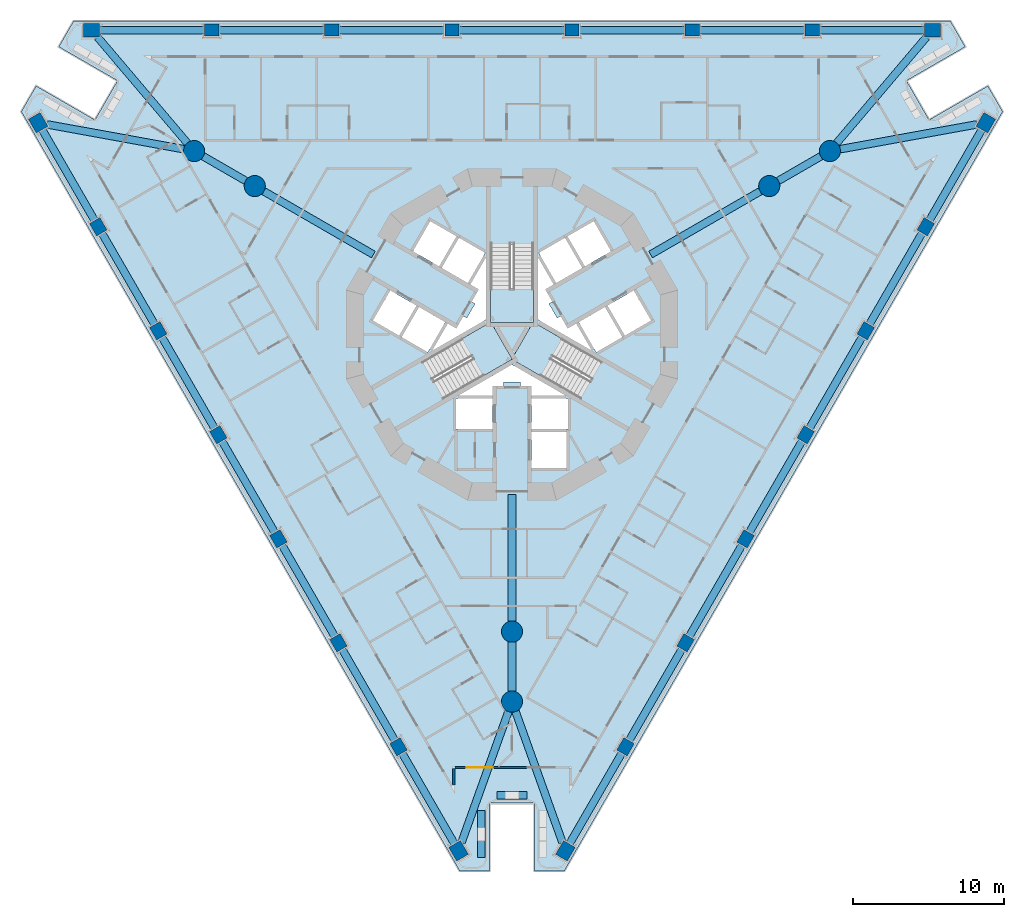
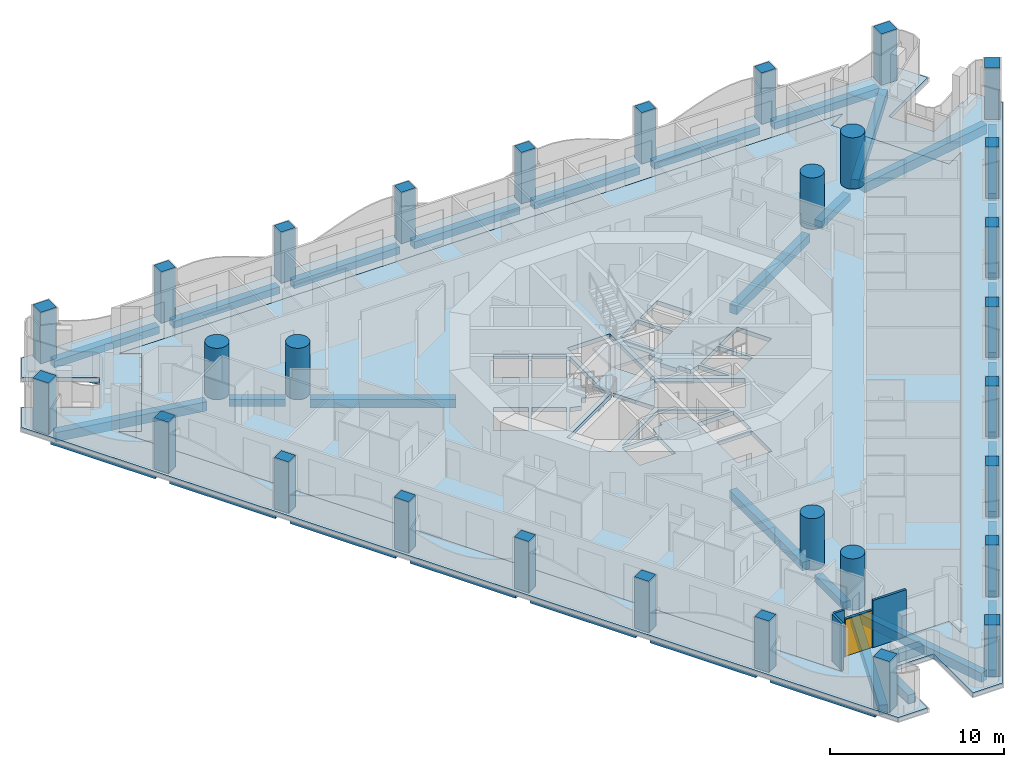
# One storey, part 1 of 20: 33 beams, 30 columns, 6 slabs, 6 walls, 1 door, 1 opening, 3 elements without a shape of their own.
"""IFC4 building model written with IfcOpenShell, lengths in metres."""

from ifc_helpers import new_model, si_unit, direction, frame, frame_2d, origin, origin_2d, place, context, subcontext, project, spatial, polyline, rectangle, circle, outline, extrude, material, layer, layer_set, material_profile, profile_set, type_object, element, fill, aggregate, save


model = new_model("IFC4")

# Units and contexts
model_context = context("Model", 3, precision=1e-05, world=origin(), true_north=direction((0.0, 1.0)))
body_context = subcontext(model_context, "Body", "Model", "MODEL_VIEW")
ifc_project = project(units=[si_unit("LENGTHUNIT", "METRE"), si_unit("AREAUNIT", "SQUARE_METRE"), si_unit("VOLUMEUNIT", "CUBIC_METRE"), si_unit("PLANEANGLEUNIT", "RADIAN"), si_unit("MASSUNIT", "GRAM", prefix="KILO")], contexts=[model_context])

# Site, building, storey
site_placement = place(None, origin())
site = spatial("IfcSite", under=ifc_project, at=site_placement, CompositionType="ELEMENT")
building_placement = place(site_placement, origin())
building = spatial("IfcBuilding", under=site, at=building_placement, Name="Trine Commons Tower", CompositionType="ELEMENT")
storey_placement = place(building_placement, frame((0.0, 0.0, 35.10009765625)))
storey = spatial("IfcBuildingStorey", under=building, at=storey_placement, Name="L07", CompositionType="ELEMENT", Elevation=35.10009765625)

# Columns
ifc_material_1 = material(Name="Concrete C80/95", Category="concrete")
ifc_material_profile_1 = material_profile(ifc_material_1, rectangle(XDim=1.050048828125, YDim=0.89990234375, at=origin_2d()), Name="RC 1050x900")
ifc_profile_set_1 = profile_set([ifc_material_profile_1], Name="Concrete C80/95")
column_type_1 = type_object("IfcColumnType", Name="RC column 1050x900, C80/95", PredefinedType="COLUMN", material=ifc_profile_set_1)
for number, where, z_axis, x_axis, name in (
    (1, (76.45556640625, 28.27001953125, 0.0), (0.0, 0.0, 1.0), (-0.5, 0.866025403784, 0.0), "Column PC1-01 L07"),
    (2, (48.583740234375, 76.54541015625, 0.0), (0.0, 0.0, 1.0), (-0.5, 0.866025403784, 0.0), "Column PC1-08 L07"),
    (3, (52.128173828125, 82.6845703125, 0.0), (0.0, 0.0, 1.0), (1.0, 0.0, 0.0), "Column PC1-09 L07"),
    (4, (107.871826171875, 82.6845703125, 0.0), (0.0, 0.0, 1.0), (1.0, 0.0, 0.0), "Column PC1-16 L07"),
    (5, (111.416259765625, 76.54541015625, 0.0), (0.0, 0.0, 1.0), (0.5, 0.866025403784, 0.0), "Column PC1-17 L07"),
    (6, (83.54443359375, 28.27001953125, 0.0), (0.0, 0.0, 1.0), (0.5, 0.866025403784, 0.0), "Column PC1-24 L07"),
):
    element("IfcColumn", number, at=place(storey_placement, frame(where, z_axis=z_axis, x_axis=x_axis)), inside=storey, type_object=column_type_1, Name=name, PredefinedType="COLUMN", context=body_context, shape_type="SweptSolid", body=[
        extrude(rectangle(XDim=1.050048828125, YDim=0.89990234375, at=origin_2d()), origin(), (0.0, 0.0, 1.0), 3.599853515625),
    ])
ifc_material_profile_2 = material_profile(ifc_material_1, rectangle(XDim=0.949951171875, YDim=0.800048828125, at=origin_2d()), Name="RC 950x800")
ifc_profile_set_2 = profile_set([ifc_material_profile_2], Name="Concrete C80/95")
column_type_2 = type_object("IfcColumnType", Name="RC column 950x800, C80/95", PredefinedType="COLUMN", material=ifc_profile_set_2)
for number, where, z_axis, x_axis, name in (
    (7, (72.473876953125, 35.16650390625, 0.0), (0.0, 0.0, 1.0), (-0.5, 0.866025403784, 0.0), "Column PC1-02 L07"),
    (8, (68.4921875, 42.06298828125, 0.0), (0.0, 0.0, 1.0), (-0.5, 0.866025403784, 0.0), "Column PC1-03 L07"),
    (9, (64.510498046875, 48.95947265625, 0.0), (0.0, 0.0, 1.0), (-0.5, 0.866025403784, 0.0), "Column PC1-04 L07"),
    (10, (60.52880859375, 55.85595703125, 0.0), (0.0, 0.0, 1.0), (-0.5, 0.866025403784, 0.0), "Column PC1-05 L07"),
    (11, (56.547119140625, 62.75244140625, 0.0), (0.0, 0.0, 1.0), (-0.5, 0.866025403784, 0.0), "Column PC1-06 L07"),
    (12, (52.5654296875, 69.64892578125, 0.0), (0.0, 0.0, 1.0), (-0.5, 0.866025403784, 0.0), "Column PC1-07 L07"),
    (13, (60.091552734375, 82.6845703125, 0.0), (0.0, 0.0, 1.0), (1.0, 0.0, 0.0), "Column PC1-10 L07"),
    (14, (68.054931640625, 82.6845703125, 0.0), (0.0, 0.0, 1.0), (1.0, 0.0, 0.0), "Column PC1-11 L07"),
    (15, (76.018310546875, 82.6845703125, 0.0), (0.0, 0.0, 1.0), (1.0, 0.0, 0.0), "Column PC1-12 L07"),
    (16, (83.981689453125, 82.6845703125, 0.0), (0.0, 0.0, 1.0), (1.0, 0.0, 0.0), "Column PC1-13 L07"),
    (17, (91.945068359375, 82.6845703125, 0.0), (0.0, 0.0, 1.0), (1.0, 0.0, 0.0), "Column PC1-14 L07"),
    (18, (99.908447265625, 82.6845703125, 0.0), (0.0, 0.0, 1.0), (1.0, 0.0, 0.0), "Column PC1-15 L07"),
    (19, (107.4345703125, 69.64892578125, 0.0), (0.0, 0.0, 1.0), (0.5, 0.866025403784, 0.0), "Column PC1-18 L07"),
    (20, (103.452880859375, 62.75244140625, 0.0), (0.0, 0.0, 1.0), (0.5, 0.866025403784, 0.0), "Column PC1-19 L07"),
    (21, (99.47119140625, 55.85595703125, 0.0), (0.0, 0.0, 1.0), (0.5, 0.866025403784, 0.0), "Column PC1-20 L07"),
    (22, (95.489501953125, 48.95947265625, 0.0), (0.0, 0.0, 1.0), (0.5, 0.866025403784, 0.0), "Column PC1-21 L07"),
    (23, (91.5078125, 42.06298828125, 0.0), (0.0, 0.0, 1.0), (0.5, 0.866025403784, 0.0), "Column PC1-22 L07"),
    (24, (87.526123046875, 35.16650390625, 0.0), (0.0, 0.0, 1.0), (0.5, 0.866025403784, 0.0), "Column PC1-23 L07"),
):
    element("IfcColumn", number, at=place(storey_placement, frame(where, z_axis=z_axis, x_axis=x_axis)), inside=storey, type_object=column_type_2, Name=name, PredefinedType="COLUMN", context=body_context, shape_type="SweptSolid", body=[
        extrude(rectangle(XDim=0.949951171875, YDim=0.800048828125, at=origin_2d()), origin(), (0.0, 0.0, 1.0), 3.599853515625),
    ])
ifc_material_profile_3 = material_profile(ifc_material_1, circle(Radius=0.699951171875, at=origin_2d()), Name="RC round 1400")
ifc_profile_set_3 = profile_set([ifc_material_profile_3], Name="Concrete C80/95")
column_type_3 = type_object("IfcColumnType", Name="RC round column 1400 mm, C80/95", PredefinedType="COLUMN", material=ifc_profile_set_3)
for number, where, z_axis, x_axis, name in (
    (25, (80.0, 42.802978515625, 0.0), (0.0, 0.0, 1.0), (1.0, 0.0, 0.0), "Column WC1-1 L07"),
    (26, (80.0, 38.162109375, 0.0), (0.0, 0.0, 1.0), (1.0, 0.0, 0.0), "Column WC1-2 L07"),
    (27, (97.05810546875, 72.348388671875, 0.0), (0.0, 0.0, 1.0), (1.0, 0.0, 0.0), "Column WC1-3 L07"),
    (28, (101.0771484375, 74.6689453125, 0.0), (0.0, 0.0, 1.0), (1.0, 0.0, 0.0), "Column WC1-4 L07"),
    (29, (62.94189453125, 72.348388671875, 0.0), (0.0, 0.0, 1.0), (1.0, 0.0, 0.0), "Column WC1-5 L07"),
    (30, (58.9228515625, 74.6689453125, 0.0), (0.0, 0.0, 1.0), (1.0, 0.0, 0.0), "Column WC1-6 L07"),
):
    element("IfcColumn", number, at=place(storey_placement, frame(where, z_axis=z_axis, x_axis=x_axis)), inside=storey, type_object=column_type_3, Name=name, PredefinedType="COLUMN", context=body_context, shape_type="SweptSolid", body=[
        extrude(circle(Radius=0.699951171875, at=origin_2d()), origin(), (0.0, 0.0, 1.0), 3.599853515625),
    ])

# Beams
ifc_material_2 = material(Name="Concrete C50/60", Category="concrete")
ifc_material_profile_4 = material_profile(ifc_material_2, rectangle(XDim=0.5, YDim=0.5, at=origin_2d()), Name="RC 500x500")
ifc_profile_set_4 = profile_set([ifc_material_profile_4], Name="Concrete C50/60")
beam_type_1 = type_object("IfcBeamType", Name="RC beam 500x500, C50/60", PredefinedType="BEAM", material=ifc_profile_set_4)
beam_1_placement = place(storey_placement, frame((76.193115234375, 28.724609375, -0.550048828125), z_axis=(-0.500022902661, 0.866012180523, 0.0), x_axis=(-0.866012180523, -0.500022902661, 0.0)))
element("IfcBeam", 31, at=beam_1_placement, inside=storey, type_object=beam_type_1, Name="Beam EB1-01 L07", PredefinedType="BEAM", context=body_context, shape_type="SweptSolid", body=[
    extrude(rectangle(XDim=0.5, YDim=0.5, at=origin_2d()), origin(), (0.0, 0.0, 1.0), 6.963623046875),
])
beam_2_placement = place(storey_placement, frame((72.236328125, 35.577880859375, -0.550048828125), z_axis=(-0.500017753321, 0.866015153657, 0.0), x_axis=(-0.866015153657, -0.500017753321, 0.0)))
element("IfcBeam", 32, at=beam_2_placement, inside=storey, type_object=beam_type_1, Name="Beam EB1-02 L07", PredefinedType="BEAM", context=body_context, shape_type="SweptSolid", body=[
    extrude(rectangle(XDim=0.5, YDim=0.5, at=origin_2d()), origin(), (0.0, 0.0, 1.0), 7.013427734375),
])
for number, where, z_axis, x_axis, name in (
    (33, (68.254638671875, 42.474365234375, -0.550048828125), (-0.499991645397, 0.866030227263, 0.0), (-0.866030227263, -0.499991645397, 0.0), "Beam EB1-03 L07"),
    (34, (64.27294921875, 49.370849609375, -0.550048828125), (-0.499991645397, 0.866030227263, 0.0), (-0.866030227263, -0.499991645397, 0.0), "Beam EB1-04 L07"),
    (35, (60.291259765625, 56.267333984375, -0.550048828125), (-0.499991645397, 0.866030227263, 0.0), (-0.866030227263, -0.499991645397, 0.0), "Beam EB1-05 L07"),
    (36, (56.3095703125, 63.163818359375, -0.550048828125), (-0.499991645397, 0.866030227263, 0.0), (-0.866030227263, -0.499991645397, 0.0), "Beam EB1-06 L07"),
):
    element("IfcBeam", number, at=place(storey_placement, frame(where, z_axis=z_axis, x_axis=x_axis)), inside=storey, type_object=beam_type_1, Name=name, PredefinedType="BEAM", context=body_context, shape_type="SweptSolid", body=[
        extrude(rectangle(XDim=0.5, YDim=0.5, at=origin_2d()), origin(), (0.0, 0.0, 1.0), 7.01318359375),
    ])
for number, where, z_axis, x_axis, name in (
    (37, (52.327880859375, 70.060302734375, -0.550048828125), (-0.49999660792, 0.866027362194, 0.0), (-0.866027362194, -0.49999660792, 0.0), "Beam EB1-07 L07"),
    (38, (52.6533203125, 82.6845703125, -0.550048828125), (1.0, 0.0, 0.0), (0.0, 1.0, 0.0), "Beam EB1-08 L07"),
):
    element("IfcBeam", number, at=place(storey_placement, frame(where, z_axis=z_axis, x_axis=x_axis)), inside=storey, type_object=beam_type_1, Name=name, PredefinedType="BEAM", context=body_context, shape_type="SweptSolid", body=[
        extrude(rectangle(XDim=0.5, YDim=0.5, at=origin_2d()), origin(), (0.0, 0.0, 1.0), 6.96337890625),
    ])
beam_3_placement = place(storey_placement, frame((60.566650390625, 82.6845703125, -0.550048828125), z_axis=(1.0, 0.0, 0.0), x_axis=(0.0, 1.0, 0.0)))
element("IfcBeam", 39, at=beam_3_placement, inside=storey, type_object=beam_type_1, Name="Beam EB1-09 L07", PredefinedType="BEAM", context=body_context, shape_type="SweptSolid", body=[
    extrude(rectangle(XDim=0.5, YDim=0.5, at=origin_2d()), origin(), (0.0, 0.0, 1.0), 7.01318359375),
])
beam_4_placement = place(storey_placement, frame((68.52978515625, 82.6845703125, -0.550048828125), z_axis=(1.0, 0.0, 0.0), x_axis=(0.0, 1.0, 0.0)))
element("IfcBeam", 40, at=beam_4_placement, inside=storey, type_object=beam_type_1, Name="Beam EB1-10 L07", PredefinedType="BEAM", context=body_context, shape_type="SweptSolid", body=[
    extrude(rectangle(XDim=0.5, YDim=0.5, at=origin_2d()), origin(), (0.0, 0.0, 1.0), 7.013427734375),
])
beam_5_placement = place(storey_placement, frame((76.493408203125, 82.6845703125, -0.550048828125), z_axis=(1.0, 0.0, 0.0), x_axis=(0.0, 1.0, 0.0)))
element("IfcBeam", 41, at=beam_5_placement, inside=storey, type_object=beam_type_1, Name="Beam EB1-11 L07", PredefinedType="BEAM", context=body_context, shape_type="SweptSolid", body=[
    extrude(rectangle(XDim=0.5, YDim=0.5, at=origin_2d()), origin(), (0.0, 0.0, 1.0), 7.01318359375),
])
beam_6_placement = place(storey_placement, frame((84.456787109375, 82.6845703125, -0.550048828125), z_axis=(1.0, 0.0, 0.0), x_axis=(0.0, 1.0, 0.0)))
element("IfcBeam", 42, at=beam_6_placement, inside=storey, type_object=beam_type_1, Name="Beam EB1-12 L07", PredefinedType="BEAM", context=body_context, shape_type="SweptSolid", body=[
    extrude(rectangle(XDim=0.5, YDim=0.5, at=origin_2d()), origin(), (0.0, 0.0, 1.0), 7.013427734375),
])
beam_7_placement = place(storey_placement, frame((92.420166015625, 82.6845703125, -0.550048828125), z_axis=(1.0, 0.0, 0.0), x_axis=(0.0, 1.0, 0.0)))
element("IfcBeam", 43, at=beam_7_placement, inside=storey, type_object=beam_type_1, Name="Beam EB1-13 L07", PredefinedType="BEAM", context=body_context, shape_type="SweptSolid", body=[
    extrude(rectangle(XDim=0.5, YDim=0.5, at=origin_2d()), origin(), (0.0, 0.0, 1.0), 7.01318359375),
])
for number, where, z_axis, x_axis, name in (
    (44, (100.38330078125, 82.6845703125, -0.550048828125), (1.0, 0.0, 0.0), (0.0, 1.0, 0.0), "Beam EB1-14 L07"),
    (45, (111.15380859375, 76.0908203125, -0.550048828125), (-0.49999660792, -0.866027362194, 0.0), (0.866027362194, -0.49999660792, 0.0), "Beam EB1-15 L07"),
):
    element("IfcBeam", number, at=place(storey_placement, frame(where, z_axis=z_axis, x_axis=x_axis)), inside=storey, type_object=beam_type_1, Name=name, PredefinedType="BEAM", context=body_context, shape_type="SweptSolid", body=[
        extrude(rectangle(XDim=0.5, YDim=0.5, at=origin_2d()), origin(), (0.0, 0.0, 1.0), 6.96337890625),
    ])
for number, where, z_axis, x_axis, name in (
    (46, (107.197021484375, 69.237548828125, -0.550048828125), (-0.499991645397, -0.866030227263, 0.0), (0.866030227263, -0.499991645397, 0.0), "Beam EB1-16 L07"),
    (47, (103.21533203125, 62.341064453125, -0.550048828125), (-0.499991645397, -0.866030227263, 0.0), (0.866030227263, -0.499991645397, 0.0), "Beam EB1-17 L07"),
    (48, (99.233642578125, 55.444580078125, -0.550048828125), (-0.499991645397, -0.866030227263, 0.0), (0.866030227263, -0.499991645397, 0.0), "Beam EB1-18 L07"),
    (49, (95.251953125, 48.548095703125, -0.550048828125), (-0.499991645397, -0.866030227263, 0.0), (0.866030227263, -0.499991645397, 0.0), "Beam EB1-19 L07"),
):
    element("IfcBeam", number, at=place(storey_placement, frame(where, z_axis=z_axis, x_axis=x_axis)), inside=storey, type_object=beam_type_1, Name=name, PredefinedType="BEAM", context=body_context, shape_type="SweptSolid", body=[
        extrude(rectangle(XDim=0.5, YDim=0.5, at=origin_2d()), origin(), (0.0, 0.0, 1.0), 7.01318359375),
    ])
beam_8_placement = place(storey_placement, frame((91.2705078125, 41.651611328125, -0.550048828125), z_axis=(-0.500017753321, -0.866015153657, 0.0), x_axis=(0.866015153657, -0.500017753321, 0.0)))
element("IfcBeam", 50, at=beam_8_placement, inside=storey, type_object=beam_type_1, Name="Beam EB1-20 L07", PredefinedType="BEAM", context=body_context, shape_type="SweptSolid", body=[
    extrude(rectangle(XDim=0.5, YDim=0.5, at=origin_2d()), origin(), (0.0, 0.0, 1.0), 7.013427734375),
])
beam_9_placement = place(storey_placement, frame((87.288818359375, 34.755126953125, -0.550048828125), z_axis=(-0.500022902661, -0.866012180523, 0.0), x_axis=(0.866012180523, -0.500022902661, 0.0)))
element("IfcBeam", 51, at=beam_9_placement, inside=storey, type_object=beam_type_1, Name="Beam EB1-21 L07", PredefinedType="BEAM", context=body_context, shape_type="SweptSolid", body=[
    extrude(rectangle(XDim=0.5, YDim=0.5, at=origin_2d()), origin(), (0.0, 0.0, 1.0), 6.963623046875),
])
beam_10_placement = place(storey_placement, frame((80.0, 42.102783203125, -0.550048828125), z_axis=(0.0, -1.0, 0.0), x_axis=(1.0, 0.0, 0.0)))
element("IfcBeam", 52, at=beam_10_placement, inside=storey, type_object=beam_type_1, Name="Beam RB1-02 L07", PredefinedType="BEAM", context=body_context, shape_type="SweptSolid", body=[
    extrude(rectangle(XDim=0.5, YDim=0.5, at=origin_2d()), origin(), (0.0, 0.0, 1.0), 3.240478515625),
])
for number, where, z_axis, x_axis, name in (
    (53, (97.663818359375, 72.697998046875, -0.550048828125), (0.865996235589, 0.500050517394, 0.0), (-0.500050517394, 0.865996235589, 0.0), "Beam RB1-04 L07"),
    (54, (62.336181640625, 72.697998046875, -0.550048828125), (-0.865996235589, 0.500050517394, 0.0), (-0.500050517394, -0.865996235589, 0.0), "Beam RB1-06 L07"),
):
    element("IfcBeam", number, at=place(storey_placement, frame(where, z_axis=z_axis, x_axis=x_axis)), inside=storey, type_object=beam_type_1, Name=name, PredefinedType="BEAM", context=body_context, shape_type="SweptSolid", body=[
        extrude(rectangle(XDim=0.5, YDim=0.5, at=origin_2d()), origin(), (0.0, 0.0, 1.0), 3.242431640625),
    ])
ifc_material_profile_5 = material_profile(ifc_material_2, rectangle(XDim=0.5, YDim=0.60009765625, at=origin_2d()), Name="RC 500x600")
ifc_profile_set_5 = profile_set([ifc_material_profile_5], Name="Concrete C50/60")
beam_type_2 = type_object("IfcBeamType", Name="RC beam 500x600, C50/60", PredefinedType="BEAM", material=ifc_profile_set_5)
beam_11_placement = place(storey_placement, frame((80.0, 51.888427734375, -0.60009765625), z_axis=(0.0, -1.0, 0.0), x_axis=(1.0, 0.0, 0.0)))
element("IfcBeam", 55, at=beam_11_placement, inside=storey, type_object=beam_type_2, Name="Beam RB1-01 L07", PredefinedType="BEAM", context=body_context, shape_type="SweptSolid", body=[
    extrude(rectangle(XDim=0.5, YDim=0.60009765625, at=origin_2d()), origin(), (0.0, 0.0, 1.0), 8.385498046875),
])
for number, where, z_axis, x_axis, name in (
    (56, (89.18994140625, 67.805908203125, -0.60009765625), (0.866038208851, 0.499977820318, 0.0), (-0.499977820318, 0.866038208851, 0.0), "Beam RB1-03 L07"),
    (57, (70.81005859375, 67.805908203125, -0.60009765625), (-0.866038208851, 0.499977820318, 0.0), (-0.499977820318, -0.866038208851, 0.0), "Beam RB1-05 L07"),
):
    element("IfcBeam", number, at=place(storey_placement, frame(where, z_axis=z_axis, x_axis=x_axis)), inside=storey, type_object=beam_type_2, Name=name, PredefinedType="BEAM", context=body_context, shape_type="SweptSolid", body=[
        extrude(rectangle(XDim=0.5, YDim=0.60009765625, at=origin_2d()), origin(), (0.0, 0.0, 1.0), 8.38623046875),
    ])
ifc_material_profile_6 = material_profile(ifc_material_2, rectangle(XDim=0.5, YDim=0.64990234375, at=origin_2d()), Name="RC 500x650")
ifc_profile_set_6 = profile_set([ifc_material_profile_6], Name="Concrete C50/60")
beam_type_3 = type_object("IfcBeamType", Name="RC beam 500x650, C50/60", PredefinedType="BEAM", material=ifc_profile_set_6)
for number, where, z_axis, x_axis, name in (
    (58, (49.1640625, 76.440185546875, -0.625), (0.983921563764, -0.178601109628, 0.0), (0.178601109628, 0.983921563764, 0.0), "Beam CB1-01 L07"),
    (59, (52.509521484375, 82.234619140625, -0.625), (0.646611559024, -0.762819435867, 0.0), (0.762819435867, 0.646611559024, 0.0), "Beam CB1-02 L07"),
    (60, (107.490478515625, 82.234619140625, -0.625), (-0.646611559024, -0.762819435867, 0.0), (0.762819435867, -0.646611559024, 0.0), "Beam CB1-03 L07"),
    (61, (110.8359375, 76.440185546875, -0.625), (-0.983921563764, -0.178601109628, 0.0), (0.178601109628, -0.983921563764, 0.0), "Beam CB1-04 L07"),
):
    element("IfcBeam", number, at=place(storey_placement, frame(where, z_axis=z_axis, x_axis=x_axis)), inside=storey, type_object=beam_type_3, Name=name, PredefinedType="BEAM", context=body_context, shape_type="SweptSolid", body=[
        extrude(rectangle(XDim=0.5, YDim=0.64990234375, at=origin_2d()), origin(), (0.0, 0.0, 1.0), 9.21875),
    ])
for number, where, z_axis, x_axis, name in (
    (62, (83.345458984375, 28.8251953125, -0.625), (-0.337305880684, 0.941395104542, 0.0), (-0.941395104542, -0.337305880684, 0.0), "Beam CB1-05 L07"),
    (63, (76.654541015625, 28.8251953125, -0.625), (0.337305880684, 0.941395104542, 0.0), (-0.941395104542, 0.337305880684, 0.0), "Beam CB1-06 L07"),
):
    element("IfcBeam", number, at=place(storey_placement, frame(where, z_axis=z_axis, x_axis=x_axis)), inside=storey, type_object=beam_type_3, Name=name, PredefinedType="BEAM", context=body_context, shape_type="SweptSolid", body=[
        extrude(rectangle(XDim=0.5, YDim=0.64990234375, at=origin_2d()), origin(), (0.0, 0.0, 1.0), 9.218994140625),
    ])

# Slabs
ifc_layer_1 = layer(ifc_material_2, 0.300048828125)
ifc_layer_set_1 = layer_set([ifc_layer_1], Name="Concrete C50/60")
slab_type_1 = type_object("IfcSlabType", Name="Loggia slab 300 mm, C50/60", PredefinedType="FLOOR", material=ifc_layer_set_1)
slab_1_placement = place(storey_placement, frame((0.0, 0.0, -0.300048828125)))
element("IfcSlab", 64, at=slab_1_placement, inside=storey, type_object=slab_type_1, Name="Loggia slab L07", PredefinedType="FLOOR", context=body_context, shape_type="SweptSolid", body=[
    extrude(outline(polyline([(83.464111328125, 26.930908203125), (112.535888671875, 77.28466796875), (111.5537109375, 78.985595703125), (107.65673828125, 76.735595703125), (106.15673828125, 79.33349609375), (110.0537109375, 81.58349609375), (109.07177734375, 83.28466796875), (50.92822265625, 83.28466796875), (49.9462890625, 81.58349609375), (53.84326171875, 79.33349609375), (52.34326171875, 76.735595703125), (48.4462890625, 78.985595703125), (47.464111328125, 77.28466796875), (76.535888671875, 26.930908203125), (78.5, 26.930908203125), (78.5, 31.430908203125), (81.5, 31.430908203125), (81.5, 26.930908203125), (83.464111328125, 26.930908203125)]), holes=[polyline([(76.10009765625, 32.48583984375), (76.10009765625, 33.830810546875), (83.89990234375, 33.830810546875), (83.89990234375, 32.48583984375), (107.943115234375, 74.129638671875), (106.7783203125, 73.45703125), (102.87841796875, 80.212158203125), (104.043212890625, 80.884521484375), (55.956787109375, 80.884521484375), (57.12158203125, 80.212158203125), (53.2216796875, 73.45703125), (52.056884765625, 74.129638671875), (76.10009765625, 32.48583984375)])]), origin(), (0.0, 0.0, 1.0), 0.300048828125),
])
ifc_layer_2 = layer(ifc_material_2, 0.300048828125)
ifc_layer_set_2 = layer_set([ifc_layer_2], Name="Concrete C50/60")
slab_type_2 = type_object("IfcSlabType", Name="PT flat slab 300 mm, C50/60", PredefinedType="FLOOR", material=ifc_layer_set_2)
slab_2_placement = place(storey_placement, frame((0.0, 0.0, -0.300048828125)))
element("IfcSlab", 65, at=slab_2_placement, inside=storey, type_object=slab_type_2, Name="Floor slab L07", PredefinedType="FLOOR", context=body_context, shape_type="SweptSolid", body=[
    extrude(outline(polyline([(52.056884765625, 74.129638671875), (76.10009765625, 32.48583984375), (76.10009765625, 33.830810546875), (83.89990234375, 33.830810546875), (83.89990234375, 32.48583984375), (107.943115234375, 74.129638671875), (106.7783203125, 73.45703125), (102.87841796875, 80.212158203125), (104.043212890625, 80.884521484375), (55.956787109375, 80.884521484375), (57.12158203125, 80.212158203125), (53.2216796875, 73.45703125), (52.056884765625, 74.129638671875)]), holes=[polyline([(76.300048828125, 56.25), (78.699951171875, 56.25), (78.699951171875, 58.25), (76.300048828125, 58.25), (76.300048828125, 56.25)]), polyline([(81.14990234375, 59.10009765625), (81.300048828125, 58.449951171875), (83.56494140625, 58.449951171875), (80.0, 60.508056640625), (76.43505859375, 58.449951171875), (78.699951171875, 58.449951171875), (78.85009765625, 59.10009765625), (79.449951171875, 59.10009765625), (79.449951171875, 59.360107421875), (80.550048828125, 59.360107421875), (80.550048828125, 59.10009765625), (81.14990234375, 59.10009765625)]), polyline([(80.0, 60.8544921875), (84.4755859375, 58.2705078125), (85.900390625, 60.73876953125), (81.425048828125, 63.32275390625), (81.425048828125, 68.490478515625), (78.574951171875, 68.490478515625), (78.574951171875, 63.32275390625), (74.099609375, 60.73876953125), (75.5244140625, 58.2705078125), (80.0, 60.8544921875)]), polyline([(73.83740234375, 64.325927734375), (72.687255859375, 62.333984375), (74.41943359375, 61.333984375), (75.5693359375, 63.325927734375), (73.83740234375, 64.325927734375)]), polyline([(71.93212890625, 65.426025390625), (70.781982421875, 63.43408203125), (72.51416015625, 62.43408203125), (73.6640625, 64.426025390625), (71.93212890625, 65.426025390625)]), polyline([(76.781005859375, 63.722900390625), (76.381103515625, 63.031005859375), (75.742919921875, 63.22607421875), (74.7099609375, 61.43798828125), (78.27490234375, 63.49609375), (78.27490234375, 67.612060546875), (77.242919921875, 65.823974609375), (77.73095703125, 65.368896484375), (77.3310546875, 64.676025390625), (77.555908203125, 64.5458984375), (77.006103515625, 63.593994140625), (76.781005859375, 63.722900390625)]), polyline([(76.4873046875, 68.916015625), (75.33740234375, 66.924072265625), (77.0693359375, 65.924072265625), (78.219482421875, 67.916015625), (76.4873046875, 68.916015625)]), polyline([(74.58203125, 70.015869140625), (73.43212890625, 68.02392578125), (75.1640625, 67.02392578125), (76.314208984375, 69.015869140625), (74.58203125, 70.015869140625)]), polyline([(81.300048828125, 53.64990234375), (83.60009765625, 53.64990234375), (83.60009765625, 56.050048828125), (81.300048828125, 56.050048828125), (81.300048828125, 53.64990234375)]), polyline([(81.300048828125, 56.25), (83.699951171875, 56.25), (83.699951171875, 58.25), (81.300048828125, 58.25), (81.300048828125, 56.25)]), polyline([(87.312744140625, 62.333984375), (86.16259765625, 64.325927734375), (84.4306640625, 63.325927734375), (85.58056640625, 61.333984375), (87.312744140625, 62.333984375)]), polyline([(89.218017578125, 63.43408203125), (88.06787109375, 65.426025390625), (86.3359375, 64.426025390625), (87.48583984375, 62.43408203125), (89.218017578125, 63.43408203125)]), polyline([(83.243896484375, 63.738037109375), (82.993896484375, 63.593994140625), (82.444091796875, 64.5458984375), (82.72705078125, 64.7099609375), (82.281005859375, 65.549072265625), (82.757080078125, 65.823974609375), (81.72509765625, 67.612060546875), (81.72509765625, 63.49609375), (85.2900390625, 61.43798828125), (84.257080078125, 63.22607421875), (83.618896484375, 63.031005859375), (83.243896484375, 63.738037109375)]), polyline([(82.9306640625, 65.924072265625), (84.66259765625, 66.924072265625), (83.5126953125, 68.916015625), (81.780517578125, 67.916015625), (82.9306640625, 65.924072265625)]), polyline([(84.8359375, 67.02392578125), (86.56787109375, 68.02392578125), (85.41796875, 70.015869140625), (83.685791015625, 69.015869140625), (84.8359375, 67.02392578125)])]), origin(), (0.0, 0.0, 1.0), 0.300048828125),
])
slab_3_placement = place(storey_placement, frame((0.0, 0.0, -0.300048828125)))
element("IfcSlab", 66, at=slab_3_placement, inside=storey, type_object=slab_type_2, Name="Floor slab L07 2", PredefinedType="FLOOR", context=body_context, shape_type="SweptSolid", body=[
    extrude(outline(polyline([(78.61328125, 63.300537109375), (80.0, 60.89892578125), (81.38671875, 63.300537109375), (78.61328125, 63.300537109375)])), origin(), (0.0, 0.0, 1.0), 0.300048828125),
])

# Stair, slab
stair_type = type_object("IfcStairType", Name="Exit stair, dog-leg, 24 risers of 150 mm", PredefinedType="HALF_TURN_STAIR", material=ifc_material_2)
stair_1_placement = place(storey_placement, origin())
stair_1 = element("IfcStair", 67, at=stair_1_placement, inside=storey, type_object=stair_type, Name="L07 Exit stair ST1A", PredefinedType="HALF_TURN_STAIR")
ifc_layer_3 = layer(ifc_material_2, 0.199951171875)
ifc_layer_set_3 = layer_set([ifc_layer_3], Name="Concrete C50/60")
slab_type_3 = type_object("IfcSlabType", Name="Stair landing slab 200 mm, C50/60", PredefinedType="LANDING", material=ifc_layer_set_3)
slab_4_placement = place(storey_placement, frame((0.0, 0.0, 1.599853515625)))
slab_4 = element("IfcSlab", 68, at=slab_4_placement, type_object=slab_type_3, Name="ST1A landing 1", PredefinedType="LANDING", context=body_context, shape_type="SweptSolid", body=[
    extrude(outline(polyline([(78.574951171875, 65.570556640625), (78.574951171875, 63.300537109375), (81.425048828125, 63.300537109375), (81.425048828125, 65.570556640625), (78.574951171875, 65.570556640625)])), origin(), (0.0, 0.0, 1.0), 0.199951171875),
])
aggregate(stair_1, [slab_4])

stair_2_placement = place(storey_placement, origin())
stair_2 = element("IfcStair", 69, at=stair_2_placement, inside=storey, type_object=stair_type, Name="L07 Exit stair ST2A", PredefinedType="HALF_TURN_STAIR")
slab_5_placement = place(storey_placement, frame((0.0, 0.0, 1.599853515625)))
slab_5 = element("IfcSlab", 70, at=slab_5_placement, type_object=slab_type_3, Name="ST2A landing 1", PredefinedType="LANDING", context=body_context, shape_type="SweptSolid", body=[
    extrude(outline(polyline([(78.05322265625, 59.730712890625), (80.019287109375, 60.86572265625), (78.59423828125, 63.333740234375), (76.628173828125, 62.19873046875), (78.05322265625, 59.730712890625)])), origin(), (0.0, 0.0, 1.0), 0.199951171875),
])
aggregate(stair_2, [slab_5])

stair_3_placement = place(storey_placement, origin())
stair_3 = element("IfcStair", 71, at=stair_3_placement, inside=storey, type_object=stair_type, Name="L07 Exit stair ST3A", PredefinedType="HALF_TURN_STAIR")
slab_6_placement = place(storey_placement, frame((0.0, 0.0, 1.599853515625)))
slab_6 = element("IfcSlab", 72, at=slab_6_placement, type_object=slab_type_3, Name="ST3A landing 1", PredefinedType="LANDING", context=body_context, shape_type="SweptSolid", body=[
    extrude(outline(polyline([(83.371826171875, 62.19873046875), (81.40576171875, 63.333740234375), (79.980712890625, 60.86572265625), (81.94677734375, 59.730712890625), (83.371826171875, 62.19873046875)])), origin(), (0.0, 0.0, 1.0), 0.199951171875),
])
aggregate(stair_3, [slab_6])

# Wall
ifc_material_3 = material(Name="Aluminium-framed insulated wall panel", Category="aluminium")
ifc_layer_4 = layer(ifc_material_3, 0.14990234375)
ifc_layer_set_4 = layer_set([ifc_layer_4], Name="Aluminium-framed insulated wall panel")
wall_type_1 = type_object("IfcWallType", Name="Glazed frame wall 150, EI 60", PredefinedType="SOLIDWALL", material=ifc_layer_set_4)
wall_1_placement = place(storey_placement, frame((81.0, 33.7958984375, 0.0), z_axis=(0.0, 0.0, 1.0), x_axis=(-1.0, 0.0, 0.0)))
element("IfcWall", 73, at=wall_1_placement, inside=storey, type_object=wall_type_1, Name="Glazed frame wall P3.3", PredefinedType="SOLIDWALL", context=body_context, shape_type="SweptSolid", body=[
    extrude(outline(polyline([(0.0, -0.074951171875), (2.199951171875, -0.074951171875), (2.199951171875, 0.074951171875), (0.0, 0.074951171875), (0.0, -0.074951171875)])), origin(), (0.0, 0.0, 1.0), 3.2998046875),
])

# Wall, opening, door
wall_2_placement = place(storey_placement, frame((78.800048828125, 33.7958984375, 0.0), z_axis=(0.0, 0.0, 1.0), x_axis=(-1.0, 0.0, 0.0)))
wall_2 = element("IfcWall", 74, at=wall_2_placement, inside=storey, type_object=wall_type_1, Name="Glazed frame wall P3.4", PredefinedType="SOLIDWALL", context=body_context, shape_type="SweptSolid", body=[
    extrude(outline(polyline([(0.0, -0.074951171875), (1.89990234375, -0.074951171875), (1.89990234375, 0.074951171875), (0.0, 0.074951171875), (0.0, -0.074951171875)])), origin(), (0.0, 0.0, 1.0), 2.64990234375),
])
opening_placement = place(wall_2_placement, frame((0.050048828125, 0.0, 0.0)))
opening = element("IfcOpeningElement", 75, at=opening_placement, cuts=wall_2, Name="Opening BD-1P3-02", PredefinedType="OPENING", context=body_context, shape_type="SweptSolid", body=[
    extrude(rectangle(XDim=1.800048828125, YDim=2.60009765625, at=frame_2d((0.89990234375, 1.300048828125))), frame((0.0, 0.0849609375, 0.0), z_axis=(0.0, -1.0, 0.0), x_axis=(1.0, 0.0, 0.0)), (0.0, 0.0, 1.0), 0.169921875),
])
ifc_material_4 = material(Name="Anodised aluminium frame with double glazing", Category="aluminium")
door_type = type_object("IfcDoorType", Name="Sliding loggia door 1800x2600", OperationType="SLIDING_TO_LEFT", PredefinedType="DOOR", material=ifc_material_4)
door_placement = place(opening_placement, origin())
door = element("IfcDoor", 76, at=door_placement, inside=storey, type_object=door_type, Name="Loggia door P3 2", OperationType="SLIDING_TO_LEFT", OverallHeight=2.60009765625, OverallWidth=1.800048828125, PredefinedType="DOOR", context=body_context, shape_type="SweptSolid", body=[
    extrude(rectangle(XDim=1.800048828125, YDim=2.60009765625, at=frame_2d((0.89990234375, 1.300048828125))), frame((0.0, 0.02490234375, 0.0), z_axis=(0.0, -1.0, 0.0), x_axis=(1.0, 0.0, 0.0)), (0.0, 0.0, 1.0), 0.050048828125),
])
fill(opening, door)

# Walls
wall_3_placement = place(storey_placement, frame((76.89990234375, 33.7958984375, 0.0), z_axis=(0.0, 0.0, 1.0), x_axis=(-1.0, 0.0, 0.0)))
element("IfcWall", 77, at=wall_3_placement, inside=storey, type_object=wall_type_1, Name="Glazed frame wall P3.5", PredefinedType="SOLIDWALL", context=body_context, shape_type="SweptSolid", body=[
    extrude(outline(polyline([(0.68994140625, 0.074951171875), (0.0, 0.074951171875), (0.0, -0.074951171875), (0.68994140625, -0.074951171875), (0.68994140625, 0.074951171875)])), origin(), (0.0, 0.0, 1.0), 3.2998046875),
])
wall_4_placement = place(storey_placement, frame((76.135009765625, 33.830810546875, 0.0), z_axis=(0.0, 0.0, 1.0), x_axis=(0.0, -1.0, 0.0)))
element("IfcWall", 78, at=wall_4_placement, inside=storey, type_object=wall_type_1, Name="Glazed frame wall R11", PredefinedType="SOLIDWALL", context=body_context, shape_type="SweptSolid", body=[
    extrude(outline(polyline([(0.110107421875, 0.074951171875), (0.110107421875, -0.074951171875), (1.19580078125, -0.074951171875), (1.19580078125, 0.074951171875), (0.110107421875, 0.074951171875)])), origin(), (0.0, 0.0, 1.0), 3.2998046875),
])
ifc_material_5 = material(Name="Planter trough, precast concrete C40/50", Category="concrete")
ifc_layer_5 = layer(ifc_material_5, 0.5)
ifc_layer_set_5 = layer_set([ifc_layer_5], Name="Planter trough, precast concrete C40/50")
wall_type_2 = type_object("IfcWallType", Name="Planter trough 500x600", PredefinedType="PARAPET", material=ifc_layer_set_5)
wall_5_placement = place(storey_placement, frame((81.0, 31.970703125, 0.0), z_axis=(0.0, 0.0, 1.0), x_axis=(-1.0, 0.0, 0.0)))
element("IfcWall", 79, at=wall_5_placement, inside=storey, type_object=wall_type_2, Name="Planter 8", PredefinedType="PARAPET", context=body_context, shape_type="SweptSolid", body=[
    extrude(rectangle(XDim=2.0, YDim=0.5, at=frame_2d((1.0, 0.0))), origin(), (0.0, 0.0, 1.0), 0.599853515625),
])
wall_6_placement = place(storey_placement, frame((77.9599609375, 30.930908203125, 0.0), z_axis=(0.0, 0.0, 1.0), x_axis=(0.0, -1.0, 0.0)))
element("IfcWall", 80, at=wall_6_placement, inside=storey, type_object=wall_type_2, Name="Planter 9", PredefinedType="PARAPET", context=body_context, shape_type="SweptSolid", body=[
    extrude(rectangle(XDim=3.10009765625, YDim=0.5, at=frame_2d((1.550048828125, 0.0))), origin(), (0.0, 0.0, 1.0), 0.599853515625),
])

save(model, "model.ifc")
